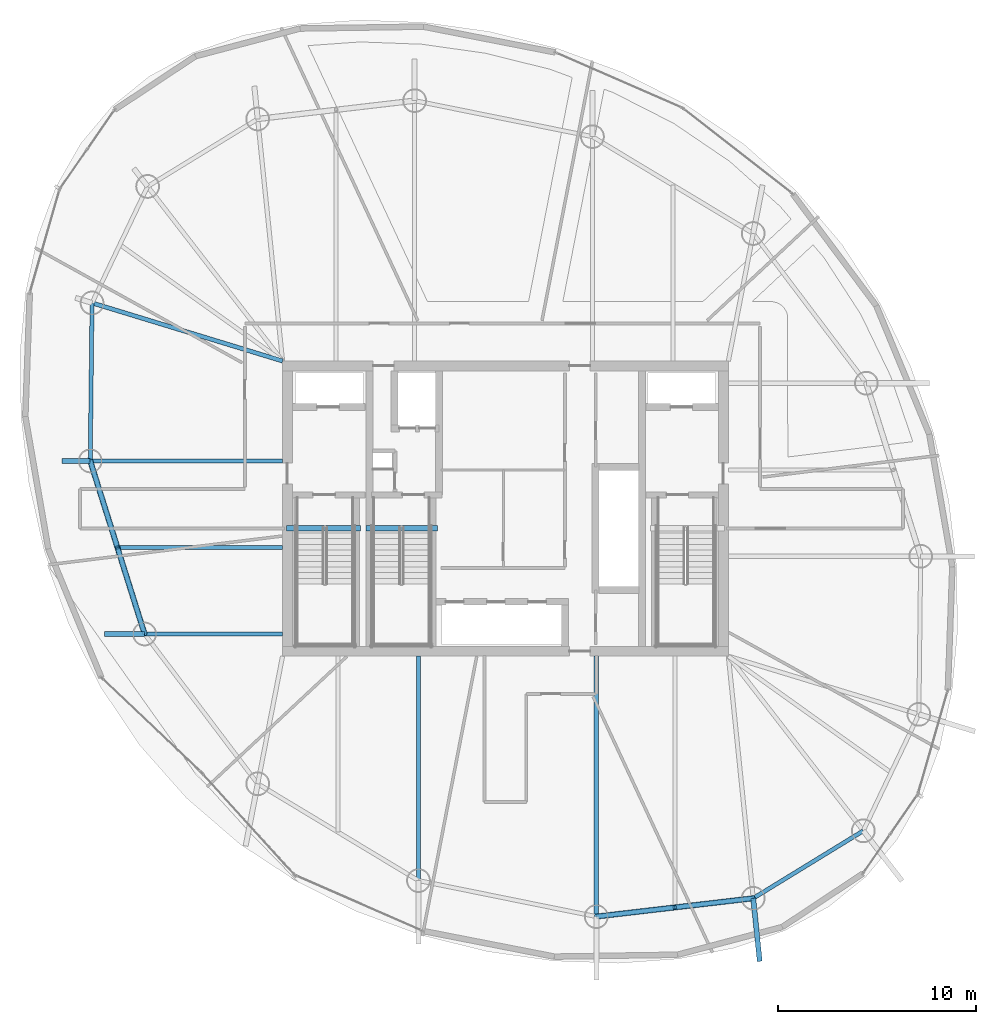
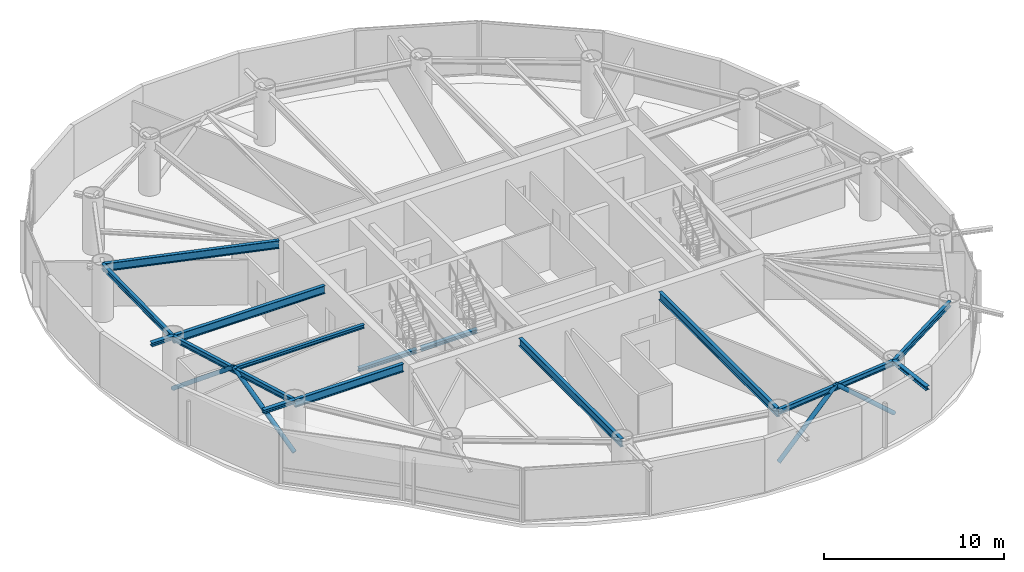
# One storey, part 5 of 22: 15 beams, 4 members.
"""IFC4 building model written with IfcOpenShell, lengths in metres."""

from ifc_helpers import new_model, si_unit, direction, frame, origin, origin_2d, place, context, subcontext, project, spatial, hollow_circle, i_section, extrude, material, material_profile, profile_set, type_object, element, save


model = new_model("IFC4")

# Units and contexts
model_context = context("Model", 3, precision=1e-05, world=origin(), true_north=direction((0.0, 1.0)))
body_context = subcontext(model_context, "Body", "Model", "MODEL_VIEW")
ifc_project = project(units=[si_unit("LENGTHUNIT", "METRE"), si_unit("AREAUNIT", "SQUARE_METRE"), si_unit("VOLUMEUNIT", "CUBIC_METRE"), si_unit("PLANEANGLEUNIT", "RADIAN"), si_unit("MASSUNIT", "GRAM", prefix="KILO")], contexts=[model_context])

# Site, building, storey
site_placement = place(None, origin())
site = spatial("IfcSite", under=ifc_project, at=site_placement, CompositionType="ELEMENT")
building_placement = place(site_placement, origin())
building = spatial("IfcBuilding", under=site, at=building_placement, Name="Bramvorn Convention Spire", CompositionType="ELEMENT")
storey_placement = place(building_placement, frame((0.0, 0.0, 213.550048828125)))
storey = spatial("IfcBuildingStorey", under=building, at=storey_placement, Name="L54", CompositionType="ELEMENT", Elevation=213.550048828125)

# Beams
ifc_material = material(Name="Steel CSA G40.21 Grade 350 (350W)", Category="steel")
ifc_material_profile_1 = material_profile(ifc_material, i_section(OverallWidth=0.201904296875, OverallDepth=0.2470703125, WebThickness=0.00732421875, FlangeThickness=0.010986328125, FilletRadius=0.011962890625, at=origin_2d()))
ifc_profile_set_1 = profile_set([ifc_material_profile_1], Name="Steel CSA G40.21 Grade 350 (350W) - W250X49")
beam_type_1 = type_object("IfcBeamType", Name="BM-W250X49", PredefinedType="JOIST", material=ifc_profile_set_1)
beam_1_placement = place(storey_placement, frame((26.75, 24.039794921875, 3.496337890625), z_axis=(-1.0, 0.0, 0.0), x_axis=(0.0, -1.0, 0.0)))
element("IfcBeam", 1, at=beam_1_placement, inside=storey, type_object=beam_type_1, Name="L54 composite floor joist 11", PredefinedType="JOIST", context=body_context, shape_type="SweptSolid", body=[
    extrude(i_section(OverallWidth=0.201904296875, OverallDepth=0.2470703125, WebThickness=0.00732421875, FlangeThickness=0.010986328125, FilletRadius=0.011962890625, at=origin_2d()), origin(), (0.0, 0.0, 1.0), 8.33251953125),
])
ifc_material_profile_2 = material_profile(ifc_material, i_section(OverallWidth=0.25390625, OverallDepth=0.2529296875, WebThickness=0.008544921875, FlangeThickness=0.01416015625, FilletRadius=0.011962890625, at=origin_2d()))
ifc_profile_set_2 = profile_set([ifc_material_profile_2], Name="Steel CSA G40.21 Grade 350 (350W) - W250X73")
beam_type_2 = type_object("IfcBeamType", Name="BM-W250X73", PredefinedType="BEAM", material=ifc_profile_set_2)
beam_2_placement = place(storey_placement, frame((17.04541015625, 28.406494140625, 3.493408203125), z_axis=(-1.0, 0.0, 0.0), x_axis=(0.0, -1.0, 0.0)))
element("IfcBeam", 2, at=beam_2_placement, inside=storey, type_object=beam_type_2, Name="L54 slab-edge cantilever tip beam MC11", PredefinedType="BEAM", context=body_context, shape_type="SweptSolid", body=[
    extrude(i_section(OverallWidth=0.25390625, OverallDepth=0.2529296875, WebThickness=0.008544921875, FlangeThickness=0.01416015625, FilletRadius=0.011962890625, at=origin_2d()), origin(), (0.0, 0.0, 1.0), 1.41552734375),
])
beam_3_placement = place(storey_placement, frame((19.78955078125, 19.672607421875, 3.493408203125), z_axis=(-1.0, 0.0, 0.0), x_axis=(0.0, -1.0, 0.0)))
element("IfcBeam", 3, at=beam_3_placement, inside=storey, type_object=beam_type_2, Name="L54 slab-edge cantilever tip beam MC12", PredefinedType="BEAM", context=body_context, shape_type="SweptSolid", body=[
    extrude(i_section(OverallWidth=0.25390625, OverallDepth=0.2529296875, WebThickness=0.008544921875, FlangeThickness=0.01416015625, FilletRadius=0.011962890625, at=origin_2d()), origin(), (0.0, 0.0, 1.0), 2.026611328125),
])
beam_4_placement = place(storey_placement, frame((50.50439453125, 6.336181640625, 3.493408203125), z_axis=(0.10223018875, -0.994760769486, 0.0), x_axis=(0.994760769486, 0.10223018875, 0.0)))
element("IfcBeam", 4, at=beam_4_placement, inside=storey, type_object=beam_type_2, Name="L54 slab-edge cantilever tip beam MC16", PredefinedType="BEAM", context=body_context, shape_type="SweptSolid", body=[
    extrude(i_section(OverallWidth=0.25390625, OverallDepth=0.2529296875, WebThickness=0.008544921875, FlangeThickness=0.01416015625, FilletRadius=0.011962890625, at=origin_2d()), origin(), (0.0, 0.0, 1.0), 3.2001953125),
])
beam_5_placement = place(storey_placement, frame((26.949951171875, 25.010009765625, -0.12646484375), z_axis=(1.0, 0.0, 0.0), x_axis=(0.0, 1.0, 0.0)))
element("IfcBeam", 5, at=beam_5_placement, inside=storey, type_object=beam_type_2, Name="L54 ST1 stair arrival header beam", PredefinedType="BEAM", context=body_context, shape_type="SweptSolid", body=[
    extrude(i_section(OverallWidth=0.25390625, OverallDepth=0.2529296875, WebThickness=0.008544921875, FlangeThickness=0.01416015625, FilletRadius=0.011962890625, at=origin_2d()), origin(), (0.0, 0.0, 1.0), 3.739990234375),
])
beam_6_placement = place(storey_placement, frame((30.949951171875, 25.010009765625, -0.12646484375), z_axis=(1.0, 0.0, 0.0), x_axis=(0.0, 1.0, 0.0)))
element("IfcBeam", 6, at=beam_6_placement, inside=storey, type_object=beam_type_2, Name="L54 ST3 stair arrival header beam", PredefinedType="BEAM", context=body_context, shape_type="SweptSolid", body=[
    extrude(i_section(OverallWidth=0.25390625, OverallDepth=0.2529296875, WebThickness=0.008544921875, FlangeThickness=0.01416015625, FilletRadius=0.011962890625, at=origin_2d()), origin(), (0.0, 0.0, 1.0), 3.610107421875),
])
ifc_material_profile_3 = material_profile(ifc_material, i_section(OverallWidth=0.205078125, OverallDepth=0.35400390625, WebThickness=0.009521484375, FlangeThickness=0.016845703125, FilletRadius=0.014892578125, at=origin_2d()))
ifc_profile_set_3 = profile_set([ifc_material_profile_3], Name="Steel CSA G40.21 Grade 350 (350W) - W360X79")
beam_type_3 = type_object("IfcBeamType", Name="BM-W360X79", PredefinedType="JOIST", material=ifc_profile_set_3)
beam_7_placement = place(storey_placement, frame((17.136962890625, 36.380615234375, 3.44287109375), z_axis=(-0.011480475367, -0.999934097171, 0.0), x_axis=(0.999934097171, -0.011480475367, 0.0)))
element("IfcBeam", 7, at=beam_7_placement, inside=storey, type_object=beam_type_3, Name="L54 mega-column ring beam 10", PredefinedType="JOIST", context=body_context, shape_type="SweptSolid", body=[
    extrude(i_section(OverallWidth=0.205078125, OverallDepth=0.35400390625, WebThickness=0.009521484375, FlangeThickness=0.016845703125, FilletRadius=0.014892578125, at=origin_2d()), origin(), (0.0, 0.0, 1.0), 7.974609375),
])
beam_8_placement = place(storey_placement, frame((17.04541015625, 28.406494140625, 3.44287109375), z_axis=(0.299747542929, -0.954018558786, 0.0), x_axis=(0.954018558786, 0.299747542929, 0.0)))
element("IfcBeam", 8, at=beam_8_placement, inside=storey, type_object=beam_type_3, Name="L54 mega-column ring beam 11", PredefinedType="JOIST", context=body_context, shape_type="SweptSolid", body=[
    extrude(i_section(OverallWidth=0.205078125, OverallDepth=0.35400390625, WebThickness=0.009521484375, FlangeThickness=0.016845703125, FilletRadius=0.014892578125, at=origin_2d()), origin(), (0.0, 0.0, 1.0), 9.15478515625),
])
beam_9_placement = place(storey_placement, frame((42.583740234375, 5.41162109375, 3.44287109375), z_axis=(0.993256148339, 0.115940604561, 0.0), x_axis=(-0.115940604561, 0.993256148339, 0.0)))
element("IfcBeam", 9, at=beam_9_placement, inside=storey, type_object=beam_type_3, Name="L54 mega-column ring beam 15", PredefinedType="JOIST", context=body_context, shape_type="SweptSolid", body=[
    extrude(i_section(OverallWidth=0.205078125, OverallDepth=0.35400390625, WebThickness=0.009521484375, FlangeThickness=0.016845703125, FilletRadius=0.014892578125, at=origin_2d()), origin(), (0.0, 0.0, 1.0), 7.974365234375),
])
beam_10_placement = place(storey_placement, frame((50.50439453125, 6.336181640625, 3.44287109375), z_axis=(0.852616873135, 0.522536570629, 0.0), x_axis=(-0.522536570629, 0.852616873135, 0.0)))
element("IfcBeam", 10, at=beam_10_placement, inside=storey, type_object=beam_type_3, Name="L54 mega-column ring beam 16", PredefinedType="JOIST", context=body_context, shape_type="SweptSolid", body=[
    extrude(i_section(OverallWidth=0.205078125, OverallDepth=0.35400390625, WebThickness=0.009521484375, FlangeThickness=0.016845703125, FilletRadius=0.014892578125, at=origin_2d()), origin(), (0.0, 0.0, 1.0), 6.513916015625),
])
ifc_material_profile_4 = material_profile(ifc_material, i_section(OverallWidth=0.2119140625, OverallDepth=0.5439453125, WebThickness=0.01318359375, FlangeThickness=0.021240234375, FilletRadius=0.01904296875, at=origin_2d()))
ifc_profile_set_4 = profile_set([ifc_material_profile_4], Name="Steel CSA G40.21 Grade 350 (350W) - W530X123")
beam_type_4 = type_object("IfcBeamType", Name="BM-W530X123", PredefinedType="BEAM", material=ifc_profile_set_4)
beam_11_placement = place(storey_placement, frame((26.75, 33.449951171875, 3.347900390625), z_axis=(-0.95653637984, 0.291613021044, 0.0), x_axis=(-0.291613021044, -0.95653637984, 0.0)))
element("IfcBeam", 11, at=beam_11_placement, inside=storey, type_object=beam_type_4, Name="L54 radial floor girder MC10", PredefinedType="BEAM", context=body_context, shape_type="SweptSolid", body=[
    extrude(i_section(OverallWidth=0.2119140625, OverallDepth=0.5439453125, WebThickness=0.01318359375, FlangeThickness=0.021240234375, FilletRadius=0.01904296875, at=origin_2d()), origin(), (0.0, 0.0, 1.0), 10.0498046875),
])
beam_12_placement = place(storey_placement, frame((26.75, 28.406494140625, 3.347900390625), z_axis=(-1.0, 0.0, 0.0), x_axis=(0.0, -1.0, 0.0)))
element("IfcBeam", 12, at=beam_12_placement, inside=storey, type_object=beam_type_4, Name="L54 radial floor girder MC11", PredefinedType="BEAM", context=body_context, shape_type="SweptSolid", body=[
    extrude(i_section(OverallWidth=0.2119140625, OverallDepth=0.5439453125, WebThickness=0.01318359375, FlangeThickness=0.021240234375, FilletRadius=0.01904296875, at=origin_2d()), origin(), (0.0, 0.0, 1.0), 9.70458984375),
])
beam_13_placement = place(storey_placement, frame((26.75, 19.672607421875, 3.347900390625), z_axis=(-1.0, 0.0, 0.0), x_axis=(0.0, -1.0, 0.0)))
element("IfcBeam", 13, at=beam_13_placement, inside=storey, type_object=beam_type_4, Name="L54 radial floor girder MC12", PredefinedType="BEAM", context=body_context, shape_type="SweptSolid", body=[
    extrude(i_section(OverallWidth=0.2119140625, OverallDepth=0.5439453125, WebThickness=0.01318359375, FlangeThickness=0.021240234375, FilletRadius=0.01904296875, at=origin_2d()), origin(), (0.0, 0.0, 1.0), 6.96044921875),
])
beam_14_placement = place(storey_placement, frame((33.61083984375, 18.550048828125, 3.347900390625), z_axis=(0.0, -1.0, 0.0), x_axis=(1.0, 0.0, 0.0)))
element("IfcBeam", 14, at=beam_14_placement, inside=storey, type_object=beam_type_4, Name="L54 radial floor girder MC14", PredefinedType="BEAM", context=body_context, shape_type="SweptSolid", body=[
    extrude(i_section(OverallWidth=0.2119140625, OverallDepth=0.5439453125, WebThickness=0.01318359375, FlangeThickness=0.021240234375, FilletRadius=0.01904296875, at=origin_2d()), origin(), (0.0, 0.0, 1.0), 11.322265625),
])
beam_15_placement = place(storey_placement, frame((42.583740234375, 18.550048828125, 3.347900390625), z_axis=(0.0, -1.0, 0.0), x_axis=(1.0, 0.0, 0.0)))
element("IfcBeam", 15, at=beam_15_placement, inside=storey, type_object=beam_type_4, Name="L54 radial floor girder MC15", PredefinedType="BEAM", context=body_context, shape_type="SweptSolid", body=[
    extrude(i_section(OverallWidth=0.2119140625, OverallDepth=0.5439453125, WebThickness=0.01318359375, FlangeThickness=0.021240234375, FilletRadius=0.01904296875, at=origin_2d()), origin(), (0.0, 0.0, 1.0), 13.138427734375),
])

# Members
ifc_material_profile_5 = material_profile(ifc_material, hollow_circle(Radius=0.136474609375, WallThickness=0.0126953125, at=origin_2d()))
ifc_profile_set_5 = profile_set([ifc_material_profile_5], Name="Steel CSA G40.21 Grade 350 (350W) - CHS273X13")
member_type = type_object("IfcMemberType", Name="MBR-CHS273X13", PredefinedType="BRACE", material=ifc_profile_set_5)
for number, where, z_axis, x_axis, name in (
    (16, (17.04541015625, 28.406494140625, 0.0), (0.235113702915, -0.748305837019, 0.620290190947), (0.954018558786, 0.299747542929, 0.0), "L54 perimeter Gothic lancet brace 11A"),
    (17, (19.78955078125, 19.672607421875, 0.0), (-0.235113702915, 0.748305837019, 0.620290190947), (-0.954018558786, -0.299747542929, 0.0), "L54 perimeter Gothic lancet brace 11B"),
):
    element("IfcMember", number, at=place(storey_placement, frame(where, z_axis=z_axis, x_axis=x_axis)), inside=storey, type_object=member_type, Name=name, PredefinedType="BRACE", context=body_context, shape_type="SweptSolid", body=[
        extrude(hollow_circle(Radius=0.136474609375, WallThickness=0.0126953125, at=origin_2d()), origin(), (0.0, 0.0, 1.0), 5.835693359375),
    ])
member_1_placement = place(storey_placement, frame((42.583740234375, 5.41162109375, 0.0), z_axis=(0.73540583203, 0.085862325599, 0.672165101191), x_axis=(-0.115967281863, 0.993253033993, 0.0)))
element("IfcMember", 18, at=member_1_placement, inside=storey, type_object=member_type, Name="L54 perimeter Gothic lancet brace 15A", PredefinedType="BRACE", context=body_context, shape_type="SweptSolid", body=[
    extrude(hollow_circle(Radius=0.136474609375, WallThickness=0.0126953125, at=origin_2d()), origin(), (0.0, 0.0, 1.0), 5.385498046875),
])
member_2_placement = place(storey_placement, frame((50.50439453125, 6.336181640625, 0.0), z_axis=(-0.735387876584, -0.085820186818, 0.672190126756), x_axis=(0.115913925363, -0.99325926218, 0.0)))
element("IfcMember", 19, at=member_2_placement, inside=storey, type_object=member_type, Name="L54 perimeter Gothic lancet brace 15B", PredefinedType="BRACE", context=body_context, shape_type="SweptSolid", body=[
    extrude(hollow_circle(Radius=0.136474609375, WallThickness=0.0126953125, at=origin_2d()), origin(), (0.0, 0.0, 1.0), 5.38525390625),
])

save(model, "model.ifc")
